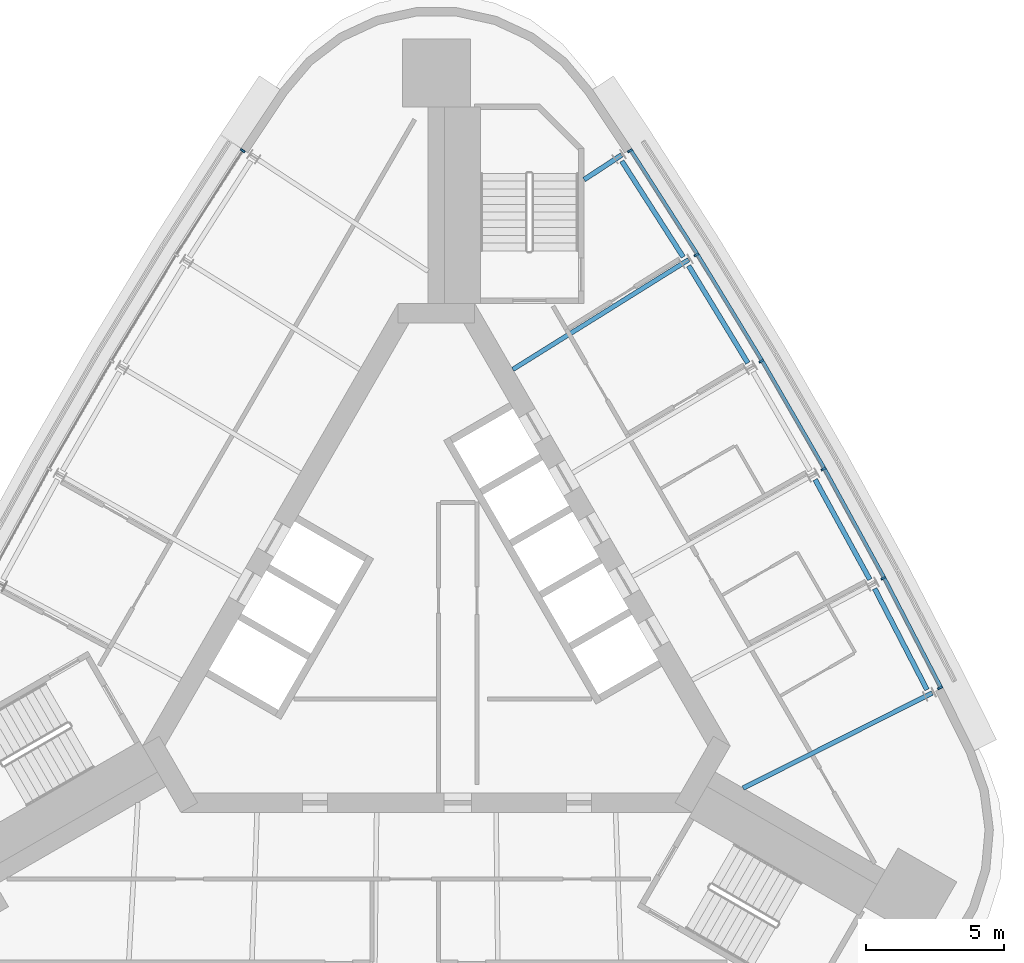
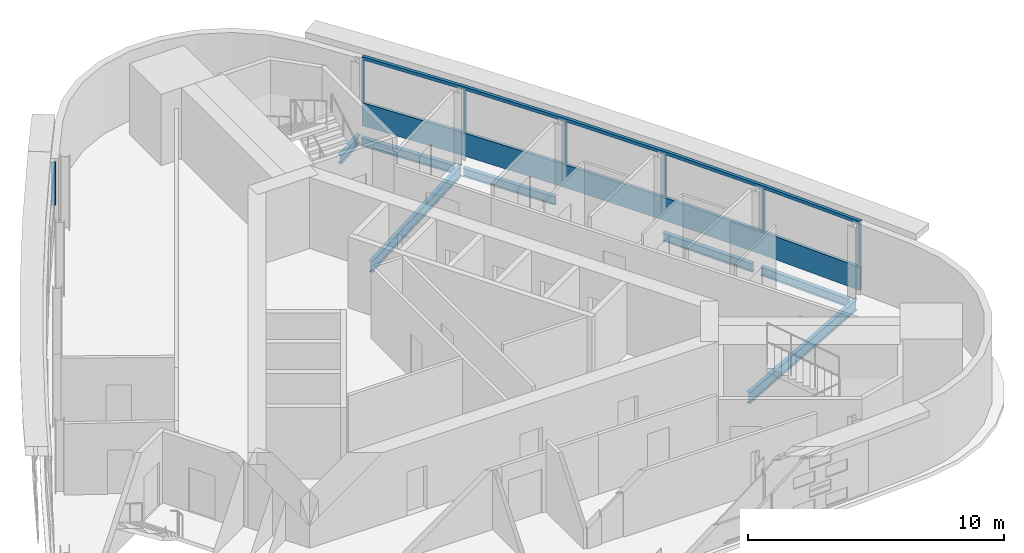
# One storey, part 4 of 10: 9 members, 7 beams, 2 elements without a shape of their own.
"""IFC4 building model written with IfcOpenShell, lengths in metres."""

from ifc_helpers import new_model, si_unit, direction, frame, origin, origin_2d, place, context, subcontext, project, spatial, polyline, rectangle, i_section, outline, extrude, material, material_profile, profile_set, type_object, element, aggregate, save


model = new_model("IFC4")

# Units and contexts
model_context = context("Model", 3, precision=1e-05, world=origin(), true_north=direction((0.0, 1.0)))
body_context = subcontext(model_context, "Body", "Model", "MODEL_VIEW")
ifc_project = project(units=[si_unit("LENGTHUNIT", "METRE"), si_unit("AREAUNIT", "SQUARE_METRE"), si_unit("VOLUMEUNIT", "CUBIC_METRE"), si_unit("PLANEANGLEUNIT", "RADIAN"), si_unit("MASSUNIT", "GRAM", prefix="KILO")], contexts=[model_context])

# Site, building, storey
site_placement = place(None, origin())
site = spatial("IfcSite", under=ifc_project, at=site_placement, CompositionType="ELEMENT")
building_placement = place(site_placement, origin())
building = spatial("IfcBuilding", under=site, at=building_placement, Name="Noor Cloister Tower", CompositionType="ELEMENT")
storey_placement = place(building_placement, frame((0.0, 0.0, 240.0)))
storey = spatial("IfcBuildingStorey", under=building, at=storey_placement, Name="L62", CompositionType="ELEMENT", Elevation=240.0)

# Curtain wall, member
ifc_material_1 = material(Name="Aluminium 6063-T6 anodised", Category="aluminium")
curtain_wall_type = type_object("IfcCurtainWallType", Name="Ribbon curtain wall, upper tower CW5", PredefinedType="NOTDEFINED", material=ifc_material_1)
curtain_wall_1_placement = place(storey_placement, origin())
curtain_wall_1 = element("IfcCurtainWall", 1, at=curtain_wall_1_placement, inside=storey, type_object=curtain_wall_type, Name="CW5 L62 NE run 3", PredefinedType="NOTDEFINED")
ifc_material_2 = material(Name="Aluminium 6063-T6 anodised", Category="aluminium")
member_type_1 = type_object("IfcMemberType", Name="Head transom CW5 150", PredefinedType="USERDEFINED", material=ifc_material_2)
member_1_placement = place(storey_placement, frame((0.0, 0.0, 3.14990234375)))
member_1 = element("IfcMember", 2, at=member_1_placement, type_object=member_type_1, Name="CW5 head transom", ObjectType="TRANSOM", PredefinedType="USERDEFINED", context=body_context, shape_type="SweptSolid", body=[
    extrude(outline(polyline([(18.301025390625, -2.417236328125), (16.232177734375, 1.578857421875), (14.072021484375, 5.5263671875), (11.822021484375, 9.423583984375), (9.4833984375, 13.267822265625), (7.05712890625, 17.0576171875), (6.939208984375, 16.982177734375), (9.364501953125, 13.19384765625), (11.70166015625, 9.35205078125), (13.949951171875, 5.457763671875), (16.1083984375, 1.51318359375), (18.1767578125, -2.4814453125), (18.301025390625, -2.417236328125)])), origin(), (0.0, 0.0, 1.0), 0.150146484375),
])

curtain_wall_2_placement = place(storey_placement, origin())
curtain_wall_2 = element("IfcCurtainWall", 3, at=curtain_wall_2_placement, inside=storey, type_object=curtain_wall_type, Name="CW5 L62 NW run 1", PredefinedType="NOTDEFINED")
ifc_material_3 = material(Name="Aluminium 6063-T6 anodised", Category="aluminium")
ifc_material_profile_1 = material_profile(ifc_material_3, rectangle(XDim=0.179931640625, YDim=0.070068359375, at=origin_2d()), Name="180 x 70 mullion")
ifc_profile_set_1 = profile_set([ifc_material_profile_1], Name="Aluminium 6063-T6 anodised")
member_type_2 = type_object("IfcMemberType", Name="Mullion CW5 70 x 180", PredefinedType="MULLION", material=ifc_profile_set_1)
member_2_placement = place(storey_placement, frame((-6.991943359375, 16.974365234375, 1.10009765625), z_axis=(0.0, 0.0, 1.0), x_axis=(0.842196352874, -0.539170940617, 0.0)))
member_2 = element("IfcMember", 4, at=member_2_placement, type_object=member_type_2, Name="CW5 mullion 1", PredefinedType="MULLION", context=body_context, shape_type="SweptSolid", body=[
    extrude(rectangle(XDim=0.179931640625, YDim=0.070068359375, at=origin_2d()), origin(), (0.0, 0.0, 1.0), 2.0498046875),
])
aggregate(curtain_wall_2, [member_2])

# Member
member_3_placement = place(storey_placement, frame((18.196044921875, -2.43212890625, 1.10009765625), z_axis=(0.0, 0.0, 1.0), x_axis=(-0.888033907993, -0.459777966255, 0.0)))
member_3 = element("IfcMember", 5, at=member_3_placement, type_object=member_type_2, Name="CW5 mullion 1", PredefinedType="MULLION", context=body_context, shape_type="SweptSolid", body=[
    extrude(rectangle(XDim=0.179931640625, YDim=0.070068359375, at=origin_2d()), origin(), (0.0, 0.0, 1.0), 2.0498046875),
])

member_4_placement = place(storey_placement, frame((16.143798828125, 1.531982421875, 1.10009765625), z_axis=(0.0, 0.0, 1.0), x_axis=(-0.882705052663, -0.469927430572, 0.0)))
member_4 = element("IfcMember", 6, at=member_4_placement, type_object=member_type_2, Name="CW5 mullion 2", PredefinedType="MULLION", context=body_context, shape_type="SweptSolid", body=[
    extrude(rectangle(XDim=0.179931640625, YDim=0.070068359375, at=origin_2d()), origin(), (0.0, 0.0, 1.0), 2.0498046875),
])

member_5_placement = place(storey_placement, frame((13.98486328125, 5.4775390625, 1.10009765625), z_axis=(0.0, 0.0, 1.0), x_axis=(-0.871700081674, -0.490039761253, 0.0)))
member_5 = element("IfcMember", 7, at=member_5_placement, type_object=member_type_2, Name="CW5 mullion 3", PredefinedType="MULLION", context=body_context, shape_type="SweptSolid", body=[
    extrude(rectangle(XDim=0.179931640625, YDim=0.070068359375, at=origin_2d()), origin(), (0.0, 0.0, 1.0), 2.0498046875),
])

member_6_placement = place(storey_placement, frame((11.736083984375, 9.37255859375, 1.10009765625), z_axis=(0.0, 0.0, 1.0), x_axis=(-0.860236922947, -0.509894534585, 0.0)))
member_6 = element("IfcMember", 8, at=member_6_placement, type_object=member_type_2, Name="CW5 mullion 4", PredefinedType="MULLION", context=body_context, shape_type="SweptSolid", body=[
    extrude(rectangle(XDim=0.179931640625, YDim=0.070068359375, at=origin_2d()), origin(), (0.0, 0.0, 1.0), 2.0498046875),
])

member_7_placement = place(storey_placement, frame((9.3984375, 13.215087890625, 1.10009765625), z_axis=(0.0, 0.0, 1.0), x_axis=(-0.848321619142, -0.529481284369, 0.0)))
member_7 = element("IfcMember", 9, at=member_7_placement, type_object=member_type_2, Name="CW5 mullion 5", PredefinedType="MULLION", context=body_context, shape_type="SweptSolid", body=[
    extrude(rectangle(XDim=0.179931640625, YDim=0.070068359375, at=origin_2d()), origin(), (0.0, 0.0, 1.0), 2.0498046875),
])

member_8_placement = place(storey_placement, frame((6.991943359375, 16.974365234375, 1.10009765625), z_axis=(0.0, 0.0, 1.0), x_axis=(-0.842196352874, -0.539170940617, 0.0)))
member_8 = element("IfcMember", 10, at=member_8_placement, type_object=member_type_2, Name="CW5 mullion 6", PredefinedType="MULLION", context=body_context, shape_type="SweptSolid", body=[
    extrude(rectangle(XDim=0.179931640625, YDim=0.070068359375, at=origin_2d()), origin(), (0.0, 0.0, 1.0), 2.0498046875),
])

# Beams
ifc_material_4 = material(Name="Steel ASTM A992 Gr 50", Category="steel")
ifc_material_profile_2 = material_profile(ifc_material_4, i_section(OverallWidth=0.177978515625, OverallDepth=0.406005859375, WebThickness=0.0078125, FlangeThickness=0.0126953125, FilletRadius=0.01025390625, at=origin_2d()), Name="W410x60")
ifc_profile_set_2 = profile_set([ifc_material_profile_2], Name="Steel ASTM A992 Gr 50")
beam_type_1 = type_object("IfcBeamType", Name="Radial beam W410x60", PredefinedType="BEAM", material=ifc_profile_set_2)
beam_1_placement = place(storey_placement, frame((6.6943359375, 16.819580078125, -0.403076171875), z_axis=(-0.835912235929, -0.548863128497, 0.0), x_axis=(0.548863128497, -0.835912235929, 0.0)))
element("IfcBeam", 11, at=beam_1_placement, inside=storey, type_object=beam_type_1, Name="Radial beam NE 06 L62", PredefinedType="BEAM", context=body_context, shape_type="SweptSolid", body=[
    extrude(i_section(OverallWidth=0.177978515625, OverallDepth=0.406005859375, WebThickness=0.0078125, FlangeThickness=0.0126953125, FilletRadius=0.01025390625, at=origin_2d()), origin(), (0.0, 0.0, 1.0), 1.625244140625),
])
ifc_material_5 = material(Name="Steel ASTM A992 Gr 50", Category="steel")
ifc_material_profile_3 = material_profile(ifc_material_5, i_section(OverallWidth=0.166015625, OverallDepth=0.528076171875, WebThickness=0.009765625, FlangeThickness=0.013671875, FilletRadius=0.0126953125, at=origin_2d()), Name="W530x74")
ifc_profile_set_3 = profile_set([ifc_material_profile_3], Name="Steel ASTM A992 Gr 50")
beam_type_2 = type_object("IfcBeamType", Name="Radial beam W530x74", PredefinedType="BEAM", material=ifc_profile_set_3)
beam_2_placement = place(storey_placement, frame((17.913330078125, -2.6123046875, -0.464111328125), z_axis=(-0.893249533682, -0.44956119781, 0.0), x_axis=(0.44956119781, -0.893249533682, 0.0)))
element("IfcBeam", 12, at=beam_2_placement, inside=storey, type_object=beam_type_2, Name="Radial beam NE 01 L62", PredefinedType="BEAM", context=body_context, shape_type="SweptSolid", body=[
    extrude(i_section(OverallWidth=0.166015625, OverallDepth=0.528076171875, WebThickness=0.009765625, FlangeThickness=0.013671875, FilletRadius=0.0126953125, at=origin_2d()), origin(), (0.0, 0.0, 1.0), 7.649169921875),
])
beam_3_placement = place(storey_placement, frame((9.115234375, 13.0380859375, -0.464111328125), z_axis=(-0.848325964039, -0.529474323019, 0.0), x_axis=(0.529474323019, -0.848325964039, 0.0)))
element("IfcBeam", 13, at=beam_3_placement, inside=storey, type_object=beam_type_2, Name="Radial beam NE 05 L62", PredefinedType="BEAM", context=body_context, shape_type="SweptSolid", body=[
    extrude(i_section(OverallWidth=0.166015625, OverallDepth=0.528076171875, WebThickness=0.009765625, FlangeThickness=0.013671875, FilletRadius=0.0126953125, at=origin_2d()), origin(), (0.0, 0.0, 1.0), 7.4892578125),
])

# Member
ifc_material_6 = material(Name="Aluminium 6063-T6 anodised", Category="aluminium")
member_type_3 = type_object("IfcMemberType", Name="Sill transom CW5 1100", PredefinedType="USERDEFINED", material=ifc_material_6)
member_9_placement = place(storey_placement, origin())
member_9 = element("IfcMember", 14, at=member_9_placement, type_object=member_type_3, Name="CW5 sill transom", ObjectType="TRANSOM", PredefinedType="USERDEFINED", context=body_context, shape_type="SweptSolid", body=[
    extrude(outline(polyline([(18.301025390625, -2.417236328125), (16.232177734375, 1.578857421875), (14.072021484375, 5.5263671875), (11.822021484375, 9.423583984375), (9.4833984375, 13.267822265625), (7.05712890625, 17.0576171875), (6.939208984375, 16.982177734375), (9.364501953125, 13.19384765625), (11.70166015625, 9.35205078125), (13.949951171875, 5.457763671875), (16.1083984375, 1.51318359375), (18.1767578125, -2.4814453125), (18.301025390625, -2.417236328125)])), origin(), (0.0, 0.0, 1.0), 1.10009765625),
])

aggregate(curtain_wall_1, [member_3, member_4, member_5, member_6, member_7, member_8, member_9, member_1])

# Beams
ifc_material_7 = material(Name="Steel ASTM A992 Gr 50", Category="steel")
ifc_material_profile_4 = material_profile(ifc_material_7, i_section(OverallWidth=0.177978515625, OverallDepth=0.406005859375, WebThickness=0.0078125, FlangeThickness=0.0126953125, FilletRadius=0.01025390625, at=origin_2d()), Name="W410x60")
ifc_profile_set_4 = profile_set([ifc_material_profile_4], Name="Steel ASTM A992 Gr 50")
beam_type_3 = type_object("IfcBeamType", Name="Spandrel beam W410x60", PredefinedType="SPANDREL", material=ifc_profile_set_4)
beam_4_placement = place(storey_placement, frame((17.723876953125, -2.498779296875, -0.403076171875), z_axis=(-0.459773194778, 0.888036378401, 0.0), x_axis=(-0.888036378401, -0.459773194778, 0.0)))
element("IfcBeam", 15, at=beam_4_placement, inside=storey, type_object=beam_type_3, Name="Spandrel beam NE 01 L62", PredefinedType="SPANDREL", context=body_context, shape_type="SweptSolid", body=[
    extrude(i_section(OverallWidth=0.177978515625, OverallDepth=0.406005859375, WebThickness=0.0078125, FlangeThickness=0.0126953125, FilletRadius=0.01025390625, at=origin_2d()), origin(), (0.0, 0.0, 1.0), 4.1142578125),
])
beam_5_placement = place(storey_placement, frame((15.656982421875, 1.484130859375, -0.403076171875), z_axis=(-0.480020032196, 0.877257527007, 0.0), x_axis=(-0.877257527007, -0.480020032196, 0.0)))
element("IfcBeam", 16, at=beam_5_placement, inside=storey, type_object=beam_type_3, Name="Spandrel beam NE 02 L62", PredefinedType="SPANDREL", context=body_context, shape_type="SweptSolid", body=[
    extrude(i_section(OverallWidth=0.177978515625, OverallDepth=0.406005859375, WebThickness=0.0078125, FlangeThickness=0.0126953125, FilletRadius=0.01025390625, at=origin_2d()), origin(), (0.0, 0.0, 1.0), 4.114013671875),
])
for number, where, z_axis, x_axis, name in (
    (17, (11.251953125, 9.302490234375, -0.403076171875), (-0.519713490012, 0.854340616089, 0.0), (-0.854340616089, -0.519713490012, 0.0), "Spandrel beam NE 04 L62"),
    (18, (8.916259765625, 13.1337890625, -0.403076171875), (-0.539158091967, 0.842204578393, 0.0), (-0.842204578393, -0.539158091967, 0.0), "Spandrel beam NE 05 L62"),
):
    element("IfcBeam", number, at=place(storey_placement, frame(where, z_axis=z_axis, x_axis=x_axis)), inside=storey, type_object=beam_type_3, Name=name, PredefinedType="SPANDREL", context=body_context, shape_type="SweptSolid", body=[
        extrude(i_section(OverallWidth=0.177978515625, OverallDepth=0.406005859375, WebThickness=0.0078125, FlangeThickness=0.0126953125, FilletRadius=0.01025390625, at=origin_2d()), origin(), (0.0, 0.0, 1.0), 4.1142578125),
    ])

save(model, "model.ifc")
